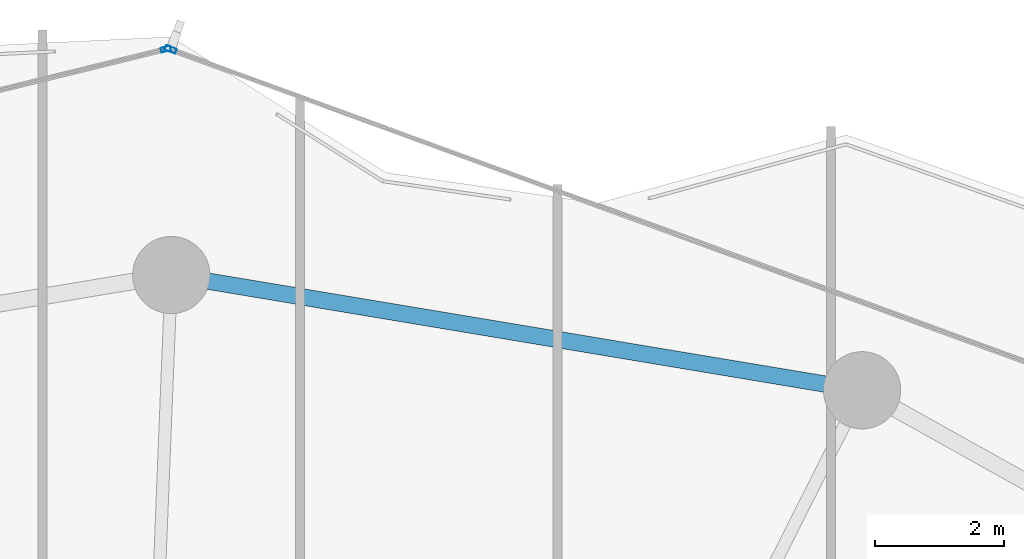
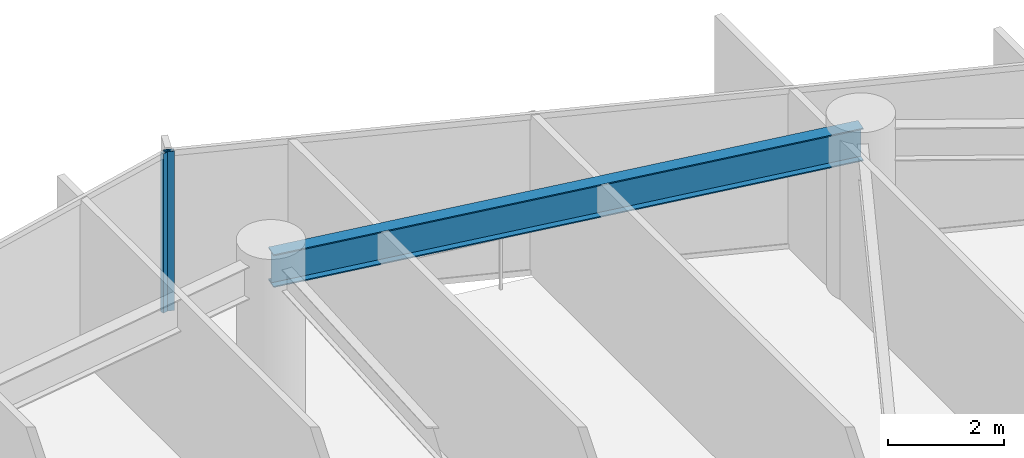
# One storey, part 19 of 28: 2 members, 1 beam, 2 elements without a shape of their own.
"""IFC4 building model written with IfcOpenShell, lengths in metres."""

import ifcopenshell
import ifcopenshell.guid

model = None  # the IFC model being written
_history = None  # IfcOwnerHistory: only IFC2X3 demands one
_inside = {}  # id of a spatial element -> (the spatial element, [elements in it])
_under = {}  # id of a project, library or spatial element -> (it, [spatial elements below it])
_declared = {}  # id of a project -> (the project, [libraries it declares])
_typed = {}  # id of a type object -> (the type object, [elements of that type])
_made_of = {}  # id of a material, layer set ... -> (it, [elements and type objects made of it])


def new_model(schema):
    """Start an empty IFC model of exactly this schema.

    Asked for "IFC4X3", IfcOpenShell would pick the latest addendum, in which some entities
    have other attributes; the version numbers below select the first issue.
    IFC2X3 requires an IfcOwnerHistory on every rooted entity: one is made here for all.
    """
    global model, _history
    if schema == "IFC4X3":
        model = ifcopenshell.file(schema_version=(4, 3, 0, 0))
    else:
        model = ifcopenshell.file(schema=schema)
    _inside.clear()
    _under.clear()
    _declared.clear()
    _typed.clear()
    _made_of.clear()
    _history = None
    if model.schema == "IFC2X3":
        org = make("IfcOrganization", Name="unknown")
        user = make(
            "IfcPersonAndOrganization",
            ThePerson=make("IfcPerson", FamilyName="unknown"),
            TheOrganization=org,
        )
        app = make(
            "IfcApplication",
            ApplicationDeveloper=org,
            Version="unknown",
            ApplicationFullName="unknown",
            ApplicationIdentifier="unknown",
        )
        _history = make(
            "IfcOwnerHistory",
            OwningUser=user,
            OwningApplication=app,
            ChangeAction="ADDED",
            CreationDate=0,
        )
    return model


def make(cls, **values):
    """One entity of the class cls with the attributes given. An attribute that is None is left unset."""
    return model.create_entity(
        cls, **{name: value for name, value in values.items() if value is not None}
    )


def rooted(cls, **values):
    """An entity with a GlobalId (a new one), such as an element, a storey or a relation."""
    return make(cls, GlobalId=ifcopenshell.guid.new(), OwnerHistory=_history, **values)


def si_unit(unit_type, name, prefix=None):
    """IfcSIUnit, for example si_unit("LENGTHUNIT", "METRE", prefix="MILLI")."""
    return make("IfcSIUnit", UnitType=unit_type, Prefix=prefix, Name=name)


def assignment(units):
    """IfcUnitAssignment: the units of a project."""
    return None if units is None else make("IfcUnitAssignment", Units=units)


def point(xyz):
    """IfcCartesianPoint."""
    return None if xyz is None else make("IfcCartesianPoint", Coordinates=xyz)


def direction(xyz):
    """IfcDirection."""
    return None if xyz is None else make("IfcDirection", DirectionRatios=xyz)


def frame(location, z_axis=None, x_axis=None):
    """IfcAxis2Placement3D, a coordinate frame: its origin and axes. An axis left out is left unset."""
    return make(
        "IfcAxis2Placement3D",
        Location=point(location),
        Axis=direction(z_axis),
        RefDirection=direction(x_axis),
    )


def frame_2d(location, x_axis=None):
    """IfcAxis2Placement2D, a coordinate frame in the plane: its origin and x axis."""
    return make(
        "IfcAxis2Placement2D", Location=point(location), RefDirection=direction(x_axis)
    )


def origin():
    """The frame at (0, 0, 0) with its axes left unset."""
    return frame((0.0, 0.0, 0.0))


def origin_2d():
    """The frame at (0, 0) in the plane with its x axis left unset."""
    return frame_2d((0.0, 0.0))


def place(relative_to, where):
    """IfcLocalPlacement: puts the frame where relative to a parent placement (None: the world)."""
    return make(
        "IfcLocalPlacement", PlacementRelTo=relative_to, RelativePlacement=where
    )


def context(
    kind, dimensions, precision=None, world=None, true_north=None, identifier=None
):
    """IfcGeometricRepresentationContext, for example the 3D "Model" context."""
    return make(
        "IfcGeometricRepresentationContext",
        ContextIdentifier=identifier,
        ContextType=kind,
        CoordinateSpaceDimension=dimensions,
        Precision=precision,
        WorldCoordinateSystem=world,
        TrueNorth=true_north,
    )


def subcontext(parent, identifier, kind, view, scale=None):
    """IfcGeometricRepresentationSubContext, for example "Body" below "Model"."""
    return make(
        "IfcGeometricRepresentationSubContext",
        ContextIdentifier=identifier,
        ContextType=kind,
        ParentContext=parent,
        TargetScale=scale,
        TargetView=view,
    )


def project(units=None, contexts=None):
    """IfcProject with its units and contexts."""
    return rooted(
        "IfcProject",
        Name="project",
        RepresentationContexts=contexts,
        UnitsInContext=assignment(units),
    )


def spatial(cls, under=None, at=None, **own):
    """A site, building, storey or space (cls), placed at a placement, below another one or the project."""
    s = rooted(cls, ObjectPlacement=at, **own)
    if under is not None:
        _under.setdefault(under.id(), (under, []))[1].append(s)
    return s


def profile(cls, at=None, kind="AREA", **sizes):
    """A parametric profile (cls). Its sizes go by their IFC names, for example OverallWidth=200.0."""
    return make(cls, ProfileType=kind, Position=at, **sizes)


def hollow_rectangle(**sizes):
    """IfcRectangleHollowProfileDef."""
    return profile("IfcRectangleHollowProfileDef", **sizes)


def i_section(**sizes):
    """IfcIShapeProfileDef."""
    return profile("IfcIShapeProfileDef", **sizes)


def extrude(swept, where, along, depth):
    """IfcExtrudedAreaSolid: the profile swept, set in the frame where, extruded along a direction by depth."""
    return make(
        "IfcExtrudedAreaSolid",
        SweptArea=swept,
        Position=where,
        ExtrudedDirection=direction(along),
        Depth=depth,
    )


def shape(context_of_items, identifier, shape_type, items):
    """IfcShapeRepresentation: the items that make up one representation, for example the "Body"."""
    return make(
        "IfcShapeRepresentation",
        ContextOfItems=context_of_items,
        RepresentationIdentifier=identifier,
        RepresentationType=shape_type,
        Items=items,
    )


def material(Name=None, Category=None):
    """IfcMaterial."""
    return make("IfcMaterial", Name=Name, Category=Category)


def layer(
    of_material, thickness, ventilated=None, Name=None, Category=None, Priority=None
):
    """IfcMaterialLayer: one layer of a wall or slab, of a material (None: an air gap)."""
    return make(
        "IfcMaterialLayer",
        Material=of_material,
        LayerThickness=thickness,
        IsVentilated=ventilated,
        Name=Name,
        Category=Category,
        Priority=Priority,
    )


def layer_set(layers, Name=None):
    """IfcMaterialLayerSet."""
    return make("IfcMaterialLayerSet", MaterialLayers=layers, LayerSetName=Name)


def material_profile(
    of_material, cross_section, Name=None, Category=None, Priority=None
):
    """IfcMaterialProfile: a cross section and its material."""
    return make(
        "IfcMaterialProfile",
        Name=Name,
        Material=of_material,
        Profile=cross_section,
        Priority=Priority,
        Category=Category,
    )


def profile_set(profiles, Name=None, composite=None):
    """IfcMaterialProfileSet."""
    return make(
        "IfcMaterialProfileSet",
        Name=Name,
        MaterialProfiles=profiles,
        CompositeProfile=composite,
    )


def made_of(thing, what):
    """Note that an element or type object is made of a material, layer set ...; save() writes the relation."""
    if what is not None:
        _made_of.setdefault(what.id(), (what, []))[1].append(thing)
    return thing


def type_object(cls, material=None, **own):
    """A type object (cls), such as IfcWallType, which elements share."""
    return made_of(rooted(cls, **own), material)


def element(
    cls,
    number,
    at=None,
    inside=None,
    cuts=None,
    type_object=None,
    material=None,
    context=None,
    identifier="Body",
    shape_type=None,
    held_by="IfcProductDefinitionShape",
    body=None,
    shapes=None,
    **own,
):
    """One element of the class cls, such as IfcWall. Its Tag is "e" and its number.

    at: its placement. inside: the storey or other place that contains it. cuts: it is an
    opening in that element (IfcRelVoidsElement). A single representation is given by context,
    identifier, shape_type and body (its items); several are given by shapes. held_by: the class
    of the entity that holds the representations. save() writes the other relations.
    """
    e = rooted(cls, Tag="e%d" % number, ObjectPlacement=at, **own)
    if body is not None:
        shapes = [shape(context, identifier, shape_type, body)]
    if shapes is not None:
        e.Representation = make(held_by, Representations=shapes)
    if inside is not None:
        _inside.setdefault(inside.id(), (inside, []))[1].append(e)
    if cuts is not None:
        rooted(
            "IfcRelVoidsElement", RelatingBuildingElement=cuts, RelatedOpeningElement=e
        )
    if type_object is not None:
        _typed.setdefault(type_object.id(), (type_object, []))[1].append(e)
    return made_of(e, material)


def aggregate(whole, parts):
    """IfcRelAggregates: a whole, such as a stair, and the parts it consists of."""
    return rooted("IfcRelAggregates", RelatingObject=whole, RelatedObjects=parts)


def save(model, path):
    """Write the relations noted so far, then the file.

    IfcRelAggregates (storeys below a building ...), IfcRelContainedInSpatialStructure (elements
    in a storey), IfcRelDefinesByType, IfcRelAssociatesMaterial and IfcRelDeclares: one each for
    every whole, place, type object, material and project.
    """
    for whole, parts in _under.values():
        aggregate(whole, parts)
    for where, things in _inside.values():
        rooted(
            "IfcRelContainedInSpatialStructure",
            RelatedElements=things,
            RelatingStructure=where,
        )
    for kind, things in _typed.values():
        rooted("IfcRelDefinesByType", RelatedObjects=things, RelatingType=kind)
    for what, things in _made_of.values():
        rooted("IfcRelAssociatesMaterial", RelatedObjects=things, RelatingMaterial=what)
    for by, libraries in _declared.values():
        rooted("IfcRelDeclares", RelatingContext=by, RelatedDefinitions=libraries)
    model.write(path)


model = new_model("IFC4")

# Units and contexts
model_context = context("Model", 3, precision=1e-05, world=origin(), true_north=direction((0.0, 1.0)))
body_context = subcontext(model_context, "Body", "Model", "MODEL_VIEW")
ifc_project = project(units=[si_unit("LENGTHUNIT", "METRE"), si_unit("AREAUNIT", "SQUARE_METRE"), si_unit("VOLUMEUNIT", "CUBIC_METRE"), si_unit("PLANEANGLEUNIT", "RADIAN"), si_unit("MASSUNIT", "GRAM", prefix="KILO")], contexts=[model_context])

# Site, building, storey
site_placement = place(None, origin())
site = spatial("IfcSite", under=ifc_project, at=site_placement, CompositionType="ELEMENT")
building_placement = place(site_placement, origin())
building = spatial("IfcBuilding", under=site, at=building_placement, Name="Kazevale Care Tower and Concert Hall", CompositionType="ELEMENT")
storey_placement = place(building_placement, frame((0.0, 0.0, 142.199951171875)))
storey = spatial("IfcBuildingStorey", under=building, at=storey_placement, Name="L37", CompositionType="ELEMENT", Elevation=142.199951171875)

# Curtain wall, member
ifc_material_1 = material(Name="Aluminium 6063-T6 and Low-E Glass", Category="aluminium")
ifc_layer_1 = layer(ifc_material_1, 0.179931640625)
ifc_layer_set_1 = layer_set([ifc_layer_1], Name="Aluminium 6063-T6 and Low-E Glass")
curtain_wall_type_1 = type_object("IfcCurtainWallType", Name="Convex Checkerboard Finned Curtain Wall CW-2", PredefinedType="NOTDEFINED", material=ifc_layer_set_1)
curtain_wall_1_placement = place(storey_placement, origin())
curtain_wall_1 = element("IfcCurtainWall", 1, at=curtain_wall_1_placement, inside=storey, type_object=curtain_wall_type_1, Name="cw:L37:f16", PredefinedType="NOTDEFINED")
ifc_material_2 = material(Name="Aluminium 6063-T6", Category="aluminium")
ifc_material_profile_1 = material_profile(ifc_material_2, hollow_rectangle(XDim=0.080078125, YDim=0.179931640625, WallThickness=0.0048828125, at=origin_2d()), Name="ALU80x180x5")
ifc_profile_set_1 = profile_set([ifc_material_profile_1], Name="Aluminium 6063-T6")
member_type_1 = type_object("IfcMemberType", Name="CW-2 Mullion ALU80x180x5", PredefinedType="MULLION", material=ifc_profile_set_1)
member_1_placement = place(storey_placement, frame((44.989501953125, 64.953369140625, 0.0), z_axis=(0.0, 0.0, 1.0), x_axis=(0.343143453498, 0.939283008641, 0.0)))
member_1 = element("IfcMember", 2, at=member_1_placement, type_object=member_type_1, Name="CW-2 mullion 1", PredefinedType="MULLION", context=body_context, shape_type="SweptSolid", body=[
    extrude(hollow_rectangle(XDim=0.080078125, YDim=0.179931640625, WallThickness=0.0048828125, at=origin_2d()), origin(), (0.0, 0.0, 1.0), 3.360107421875),
])
aggregate(curtain_wall_1, [member_1])

ifc_layer_2 = layer(ifc_material_1, 0.179931640625)
ifc_layer_set_2 = layer_set([ifc_layer_2], Name="Aluminium 6063-T6 and Low-E Glass")
curtain_wall_type_2 = type_object("IfcCurtainWallType", Name="Convex Recessed Sunroom Curtain Wall CW-3", PredefinedType="NOTDEFINED", material=ifc_layer_set_2)
curtain_wall_2_placement = place(storey_placement, origin())
curtain_wall_2 = element("IfcCurtainWall", 3, at=curtain_wall_2_placement, inside=storey, type_object=curtain_wall_type_2, Name="cw:L37:f15", PredefinedType="NOTDEFINED")
ifc_material_profile_2 = material_profile(ifc_material_2, hollow_rectangle(XDim=0.074951171875, YDim=0.14990234375, WallThickness=0.00390625, at=origin_2d()), Name="ALU75x150x4")
ifc_profile_set_2 = profile_set([ifc_material_profile_2], Name="Aluminium 6063-T6")
member_type_2 = type_object("IfcMemberType", Name="CW-3 Mullion ALU75x150x4", PredefinedType="MULLION", material=ifc_profile_set_2)
member_2_placement = place(storey_placement, frame((44.91552734375, 64.9580078125, 0.0), z_axis=(0.0, 0.0, 1.0), x_axis=(-0.239088999495, 0.970997657217, 0.0)))
member_2 = element("IfcMember", 4, at=member_2_placement, type_object=member_type_2, Name="CW-3 mullion 2", PredefinedType="MULLION", context=body_context, shape_type="SweptSolid", body=[
    extrude(hollow_rectangle(XDim=0.074951171875, YDim=0.14990234375, WallThickness=0.00390625, at=origin_2d()), origin(), (0.0, 0.0, 1.0), 3.360107421875),
])
aggregate(curtain_wall_2, [member_2])

# Beam
ifc_material_3 = material(Name="Steel ASTM A572 Gr 50", Category="steel")
ifc_material_profile_3 = material_profile(ifc_material_3, i_section(OverallWidth=0.256103515625, OverallDepth=0.693115234375, WebThickness=0.014404296875, FlangeThickness=0.023681640625, at=origin_2d()), Name="W690x170")
ifc_profile_set_3 = profile_set([ifc_material_profile_3], Name="Steel ASTM A572 Gr 50")
beam_type = type_object("IfcBeamType", Name="Waist Ring Beam W690x170", PredefinedType="BEAM", material=ifc_profile_set_3)
beam_placement = place(storey_placement, frame((55.72998046875, 59.659912109375, 3.013427734375), z_axis=(-0.986368436187, 0.164551840139, 0.0), x_axis=(-0.164551840139, -0.986368436187, 0.0)))
element("IfcBeam", 5, at=beam_placement, inside=storey, type_object=beam_type, Name="beam:L37:ring:04", PredefinedType="BEAM", context=body_context, shape_type="SweptSolid", body=[
    extrude(i_section(OverallWidth=0.256103515625, OverallDepth=0.693115234375, WebThickness=0.014404296875, FlangeThickness=0.023681640625, at=origin_2d()), origin(), (0.0, 0.0, 1.0), 10.878173828125),
])

save(model, "model.ifc")
